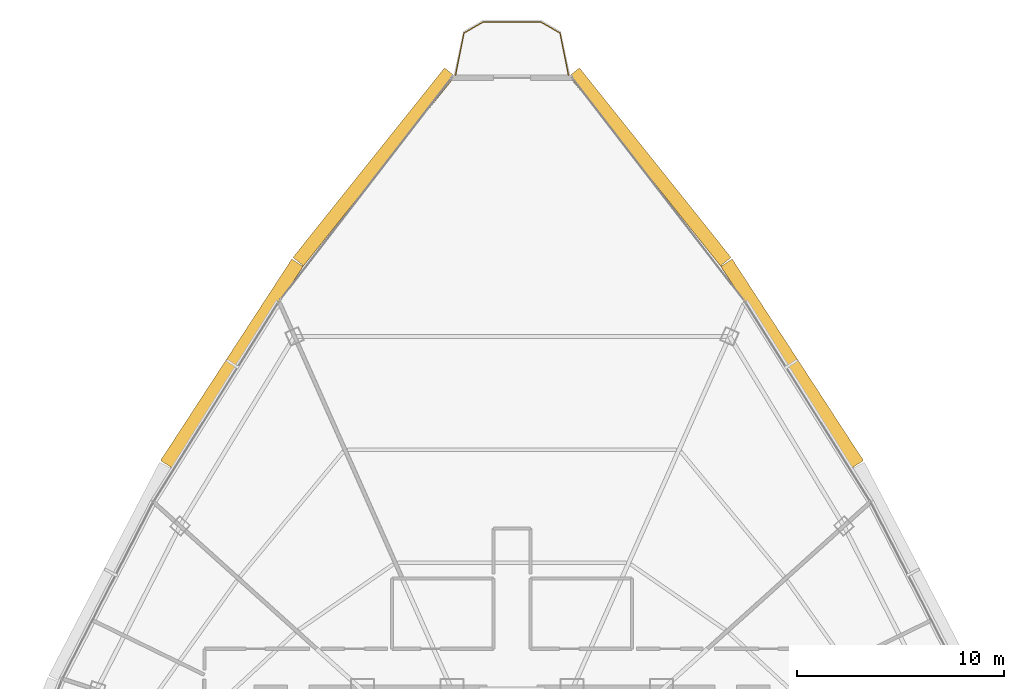
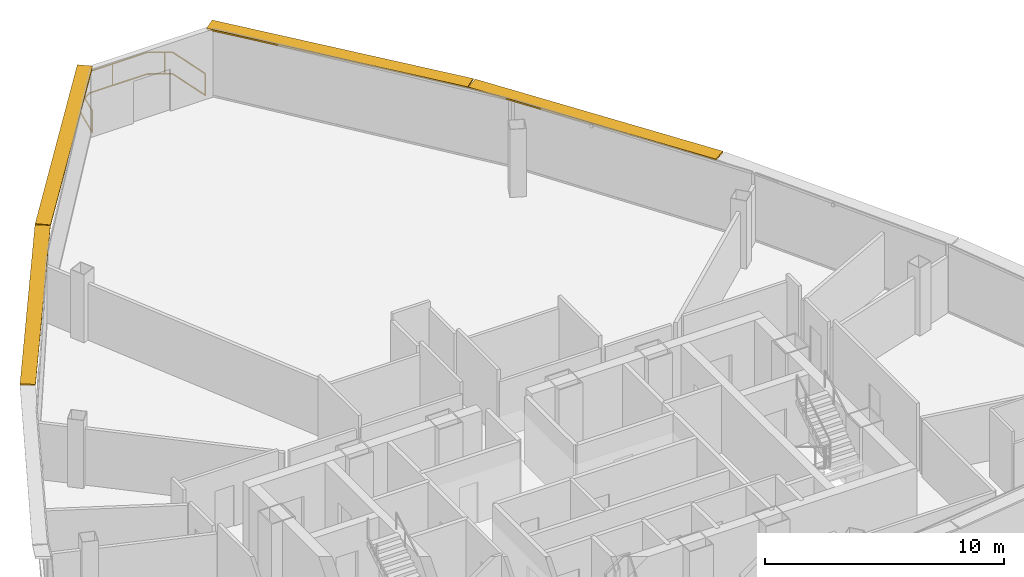
# One storey, part 29 of 29: 4 shading devices, 1 railing.
"""IFC4 building model written with IfcOpenShell, lengths in metres."""

from ifc_helpers import new_model, si_unit, direction, frame, origin, origin_2d, place, context, subcontext, project, spatial, rectangle, extrude, source, transform, mapped, material, layer, layer_set, type_object, element, save


model = new_model("IFC4")

# Units and contexts
model_context = context("Model", 3, precision=1e-05, world=origin(), true_north=direction((0.0, 1.0)))
body_context = subcontext(model_context, "Body", "Model", "MODEL_VIEW")
ifc_project = project(units=[si_unit("LENGTHUNIT", "METRE"), si_unit("AREAUNIT", "SQUARE_METRE"), si_unit("VOLUMEUNIT", "CUBIC_METRE"), si_unit("PLANEANGLEUNIT", "RADIAN"), si_unit("MASSUNIT", "GRAM", prefix="KILO"), si_unit("THERMODYNAMICTEMPERATUREUNIT", "KELVIN"), si_unit("POWERUNIT", "WATT")], contexts=[model_context])

# Site, building, storey
site_placement = place(None, origin())
site = spatial("IfcSite", under=ifc_project, at=site_placement, CompositionType="ELEMENT")
building_placement = place(site_placement, origin())
building = spatial("IfcBuilding", under=site, at=building_placement, Name="Yunzhuo Pagoda Commons", CompositionType="ELEMENT")
storey_placement = place(building_placement, frame((0.0, 0.0, 363.010009765625)))
storey = spatial("IfcBuildingStorey", under=building, at=storey_placement, Name="L91", CompositionType="ELEMENT", Elevation=363.010009765625)

# Railing
ifc_material = material(Name="Anodized aluminium 6063-T6", Category="aluminium")
railing_type = type_object("IfcRailingType", Name="RL-BAL1 Exterior Terrace & Balcony Balustrade 1150", PredefinedType="BALUSTRADE", material=ifc_material)
railing_placement = place(storey_placement, frame((50.721923828125, 69.906494140625, 0.0)))
element("IfcRailing", 1, at=railing_placement, inside=storey, type_object=railing_type, Name="L91 corner balcony balustrade V3", PredefinedType="BALUSTRADE", context=body_context, shape_type="SweptSolid", body=[
    extrude(rectangle(XDim=0.048095703125, YDim=0.048095703125, at=origin_2d()), frame((0.0, 0.0, 1.1259765625), z_axis=(-0.194200568098, 0.980961843983, 0.0), x_axis=(-0.980961843983, -0.194200568098, 0.0)), (0.0, 0.0, 1.0), 2.059326171875),
    extrude(rectangle(XDim=0.048095703125, YDim=0.048095703125, at=origin_2d()), frame((0.0, 0.0, 0.02392578125), z_axis=(-0.194200568098, 0.980961843983, 0.0), x_axis=(-0.980961843983, -0.194200568098, 0.0)), (0.0, 0.0, 1.0), 2.059326171875),
    extrude(rectangle(XDim=0.048095703125, YDim=0.048095703125, at=origin_2d()), frame((-0.39990234375, 2.02001953125, 1.1259765625), z_axis=(-0.866854175161, 0.498561770501, 0.0), x_axis=(-0.498561770501, -0.866854175161, 0.0)), (0.0, 0.0, 1.0), 1.062744140625),
    extrude(rectangle(XDim=0.048095703125, YDim=0.048095703125, at=origin_2d()), frame((-0.39990234375, 2.02001953125, 0.02392578125), z_axis=(-0.866854175161, 0.498561770501, 0.0), x_axis=(-0.498561770501, -0.866854175161, 0.0)), (0.0, 0.0, 1.0), 1.062744140625),
    extrude(rectangle(XDim=0.048095703125, YDim=0.048095703125, at=origin_2d()), frame((-1.321044921875, 2.5498046875, 1.1259765625), z_axis=(-1.0, 0.0, 0.0), x_axis=(0.0, -1.0, 0.0)), (0.0, 0.0, 1.0), 2.8017578125),
    extrude(rectangle(XDim=0.048095703125, YDim=0.048095703125, at=origin_2d()), frame((-1.321044921875, 2.5498046875, 0.02392578125), z_axis=(-1.0, 0.0, 0.0), x_axis=(0.0, -1.0, 0.0)), (0.0, 0.0, 1.0), 2.8017578125),
    extrude(rectangle(XDim=0.048095703125, YDim=0.048095703125, at=origin_2d()), frame((-4.122802734375, 2.5498046875, 1.1259765625), z_axis=(-0.866854175161, -0.498561770501, 0.0), x_axis=(0.498561770501, -0.866854175161, 0.0)), (0.0, 0.0, 1.0), 1.062744140625),
    extrude(rectangle(XDim=0.048095703125, YDim=0.048095703125, at=origin_2d()), frame((-4.122802734375, 2.5498046875, 0.02392578125), z_axis=(-0.866854175161, -0.498561770501, 0.0), x_axis=(0.498561770501, -0.866854175161, 0.0)), (0.0, 0.0, 1.0), 1.062744140625),
    extrude(rectangle(XDim=0.048095703125, YDim=0.048095703125, at=origin_2d()), frame((-5.0439453125, 2.02001953125, 1.1259765625), z_axis=(-0.194200568098, -0.980961843983, 0.0), x_axis=(0.980961843983, -0.194200568098, 0.0)), (0.0, 0.0, 1.0), 2.059326171875),
    extrude(rectangle(XDim=0.048095703125, YDim=0.048095703125, at=origin_2d()), frame((-5.0439453125, 2.02001953125, 0.02392578125), z_axis=(-0.194200568098, -0.980961843983, 0.0), x_axis=(0.980961843983, -0.194200568098, 0.0)), (0.0, 0.0, 1.0), 2.059326171875),
    extrude(rectangle(XDim=0.0419921875, YDim=0.0419921875, at=origin_2d()), origin(), (0.0, 0.0, 1.0), 1.101806640625),
    extrude(rectangle(XDim=0.0419921875, YDim=0.0419921875, at=origin_2d()), frame((-0.6953125, 2.18994140625, 0.0)), (0.0, 0.0, 1.0), 1.101806640625),
    extrude(rectangle(XDim=0.0419921875, YDim=0.0419921875, at=origin_2d()), frame((-2.999267578125, 2.5498046875, 0.0)), (0.0, 0.0, 1.0), 1.101806640625),
    extrude(rectangle(XDim=0.0419921875, YDim=0.0419921875, at=origin_2d()), frame((-5.08544921875, 1.810302734375, 0.0)), (0.0, 0.0, 1.0), 1.101806640625),
    extrude(rectangle(XDim=0.0419921875, YDim=0.0419921875, at=origin_2d()), frame((-5.44384765625, 0.0, 0.0)), (0.0, 0.0, 1.0), 1.101806640625),
])

# Shading devices
ifc_layer = layer(ifc_material, 0.080078125)
ifc_layer_set = layer_set([ifc_layer], Name="Anodized aluminium 6063-T6")
shading_device_type = type_object("IfcShadingDeviceType", Name="SH-SUN1 Pagoda Horizontal Sunshade Eave 650", PredefinedType="USERDEFINED", material=ifc_layer_set)
shared_shape_1 = source(origin(), body_context, "Body", "SweptSolid", [
    extrude(rectangle(XDim=11.718994140625, YDim=0.64990234375, at=origin_2d()), origin(), (0.0, 0.0, 1.0), 0.080078125),
])
for number, where, z_axis, x_axis, name in (
    (2, (54.661376953125, 65.46435546875, 3.389892578125), (0.0, 0.0, 1.0), (-0.624520471688, 0.781008438138, 0.0), "L91 horizontal pagoda sunshade eave F2.4"),
    (3, (41.338623046875, 65.46435546875, 3.389892578125), (0.0, 0.0, 1.0), (-0.624520471688, -0.781008438138, 0.0), "L91 horizontal pagoda sunshade eave F3.1"),
):
    element("IfcShadingDevice", number, at=place(storey_placement, frame(where, z_axis=z_axis, x_axis=x_axis)), inside=storey, type_object=shading_device_type, Name=name, ObjectType="SUNSHADE", PredefinedType="USERDEFINED", context=body_context, shape_type="MappedRepresentation", body=[
        mapped(shared_shape_1, transform((0.0, 0.0, 0.0), scale=1.0)),
    ])
shared_shape_2 = source(origin(), body_context, "Body", "SweptSolid", [
    extrude(rectangle(XDim=11.607666015625, YDim=0.64990234375, at=origin_2d()), origin(), (0.0, 0.0, 1.0), 0.080078125),
])
for number, where, z_axis, x_axis, name in (
    (4, (61.525634765625, 55.973876953125, 3.389892578125), (0.0, 0.0, 1.0), (-0.545838756973, 0.837890238269, 0.0), "L91 horizontal pagoda sunshade eave F2.3"),
    (5, (34.474365234375, 55.973876953125, 3.389892578125), (0.0, 0.0, 1.0), (-0.545838756973, -0.837890238269, 0.0), "L91 horizontal pagoda sunshade eave F3.2"),
):
    element("IfcShadingDevice", number, at=place(storey_placement, frame(where, z_axis=z_axis, x_axis=x_axis)), inside=storey, type_object=shading_device_type, Name=name, ObjectType="SUNSHADE", PredefinedType="USERDEFINED", context=body_context, shape_type="MappedRepresentation", body=[
        mapped(shared_shape_2, transform((0.0, 0.0, 0.0), scale=1.0)),
    ])

save(model, "model.ifc")
